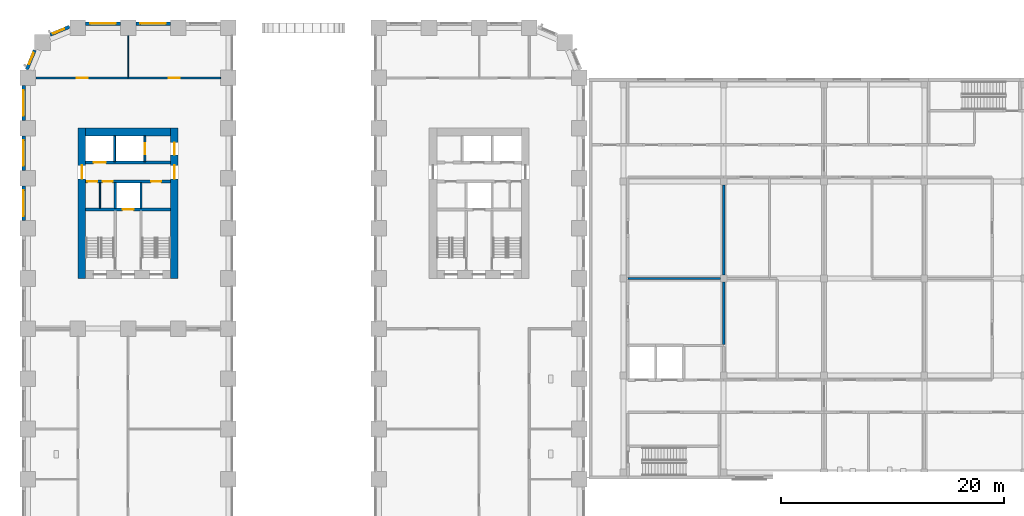
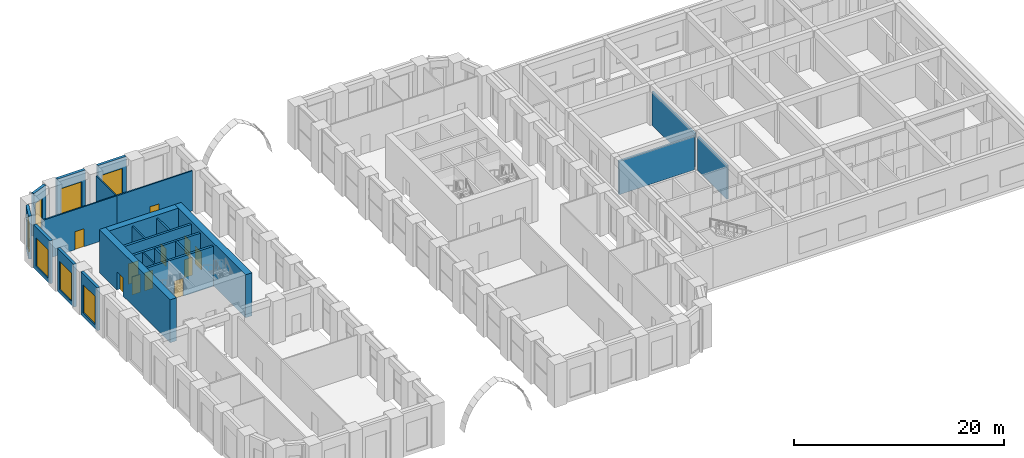
# One storey, part 11 of 24: 24 walls, 11 doors, 7 windows, 18 openings.
"""IFC4 building model written with IfcOpenShell, lengths in metres."""

from ifc_helpers import new_model, si_unit, direction, frame, frame_2d, origin, place, context, subcontext, project, spatial, rectangle, extrude, material, layer, layer_set, type_object, element, fill, save


model = new_model("IFC4")

# Units and contexts
model_context = context("Model", 3, precision=1e-05, world=origin(), true_north=direction((0.0, 1.0)))
body_context = subcontext(model_context, "Body", "Model", "MODEL_VIEW")
ifc_project = project(units=[si_unit("LENGTHUNIT", "METRE"), si_unit("AREAUNIT", "SQUARE_METRE"), si_unit("VOLUMEUNIT", "CUBIC_METRE"), si_unit("PLANEANGLEUNIT", "RADIAN"), si_unit("MASSUNIT", "GRAM", prefix="KILO")], contexts=[model_context])

# Site, building, storey
site_placement = place(None, origin())
site = spatial("IfcSite", under=ifc_project, at=site_placement, CompositionType="ELEMENT")
building_placement = place(site_placement, origin())
building = spatial("IfcBuilding", under=site, at=building_placement, Name="Girih Gate Residences", CompositionType="ELEMENT")
storey_placement = place(building_placement, frame((0.0, 0.0, 11.0)))
storey = spatial("IfcBuildingStorey", under=building, at=storey_placement, Name="L02", CompositionType="ELEMENT", Elevation=11.0)

# Wall, opening, door
ifc_material_1 = material(Name="Gypsum board on steel studs", Category="steel")
ifc_layer_1 = layer(ifc_material_1, 0.14990234375)
ifc_layer_set_1 = layer_set([ifc_layer_1], Name="Compartment wall 150 mm")
wall_type_1 = type_object("IfcWallType", Name="Compartment wall 150 mm", PredefinedType="PARTITIONING", material=ifc_layer_set_1)
wall_1_placement = place(storey_placement, frame((0.757568359375, 45.0, 0.0), z_axis=(0.0, 0.0, 1.0), x_axis=(1.0, 0.0, 0.0)))
wall_1 = element("IfcWall", 1, at=wall_1_placement, inside=storey, type_object=wall_type_1, Name="L02 partition", PredefinedType="PARTITIONING", context=body_context, shape_type="SweptSolid", body=[
    extrude(rectangle(XDim=8.242431640625, YDim=0.14990234375, at=frame_2d((4.12109375, 0.0))), origin(), (0.0, 0.0, 1.0), 4.64990234375),
])
opening_1_placement = place(wall_1_placement, frame((3.62109375, 0.0, 0.0)))
opening_1 = element("IfcOpeningElement", 2, at=opening_1_placement, cuts=wall_1, Name="Opening D-L02-S-011", PredefinedType="OPENING", context=body_context, shape_type="SweptSolid", body=[
    extrude(rectangle(XDim=1.0, YDim=2.10009765625, at=frame_2d((0.5, 1.050048828125))), frame((0.0, 0.0849609375, 0.0), z_axis=(0.0, -1.0, 0.0), x_axis=(1.0, 0.0, 0.0)), (0.0, 0.0, 1.0), 0.169921875),
])
ifc_material_2 = material(Name="Timber, fire-rated core", Category="wood")
door_type_1 = type_object("IfcDoorType", Name="Amenity door 1000x2100 FD30S", OperationType="SINGLE_SWING_LEFT", PredefinedType="DOOR", material=ifc_material_2)
door_1_placement = place(opening_1_placement, origin())
door_1 = element("IfcDoor", 3, at=door_1_placement, inside=storey, type_object=door_type_1, Name="Door L02-011", OperationType="SINGLE_SWING_RIGHT", OverallHeight=2.10009765625, OverallWidth=1.0, PredefinedType="DOOR", context=body_context, shape_type="SweptSolid", body=[
    extrude(rectangle(XDim=1.0, YDim=2.10009765625, at=frame_2d((0.5, 1.050048828125))), frame((0.0, 0.02490234375, 0.0), z_axis=(0.0, -1.0, 0.0), x_axis=(1.0, 0.0, 0.0)), (0.0, 0.0, 1.0), 0.050048828125),
])
fill(opening_1, door_1)

wall_2_placement = place(storey_placement, frame((9.0, 45.0, 0.0), z_axis=(0.0, 0.0, 1.0), x_axis=(1.0, 0.0, 0.0)))
wall_2 = element("IfcWall", 4, at=wall_2_placement, inside=storey, type_object=wall_type_1, Name="L02 partition", PredefinedType="PARTITIONING", context=body_context, shape_type="SweptSolid", body=[
    extrude(rectangle(XDim=8.300048828125, YDim=0.14990234375, at=frame_2d((4.14990234375, 0.0))), origin(), (0.0, 0.0, 1.0), 4.64990234375),
])
opening_2_placement = place(wall_2_placement, frame((3.64990234375, 0.0, 0.0)))
opening_2 = element("IfcOpeningElement", 5, at=opening_2_placement, cuts=wall_2, Name="Opening D-L02-S-012", PredefinedType="OPENING", context=body_context, shape_type="SweptSolid", body=[
    extrude(rectangle(XDim=1.0, YDim=2.10009765625, at=frame_2d((0.5, 1.050048828125))), frame((0.0, 0.0849609375, 0.0), z_axis=(0.0, -1.0, 0.0), x_axis=(1.0, 0.0, 0.0)), (0.0, 0.0, 1.0), 0.169921875),
])
door_2_placement = place(opening_2_placement, origin())
door_2 = element("IfcDoor", 6, at=door_2_placement, inside=storey, type_object=door_type_1, Name="Door L02-012", OperationType="SINGLE_SWING_RIGHT", OverallHeight=2.10009765625, OverallWidth=1.0, PredefinedType="DOOR", context=body_context, shape_type="SweptSolid", body=[
    extrude(rectangle(XDim=1.0, YDim=2.10009765625, at=frame_2d((0.5, 1.050048828125))), frame((0.0, 0.02490234375, 0.0), z_axis=(0.0, -1.0, 0.0), x_axis=(1.0, 0.0, 0.0)), (0.0, 0.0, 1.0), 0.050048828125),
])
fill(opening_2, door_2)

# Wall
ifc_material_3 = material(Name="Concrete C60/75", Category="concrete")
ifc_layer_2 = layer(ifc_material_3, 0.699951171875)
ifc_layer_set_2 = layer_set([ifc_layer_2], Name="Core wall RC 700 Concrete C60/75")
wall_type_2 = type_object("IfcWallType", Name="Core wall RC 700 Concrete C60/75", PredefinedType="SOLIDWALL", material=ifc_layer_set_2)
wall_3_placement = place(storey_placement, frame((5.199951171875, 40.14990234375, 0.0), z_axis=(0.0, 0.0, 1.0), x_axis=(1.0, 0.0, 0.0)))
element("IfcWall", 7, at=wall_3_placement, inside=storey, type_object=wall_type_2, Name="Core wall W-N L02", PredefinedType="SOLIDWALL", context=body_context, shape_type="SweptSolid", body=[
    extrude(rectangle(XDim=7.60009765625, YDim=0.699951171875, at=frame_2d((3.800048828125, 0.0))), origin(), (0.0, 0.0, 1.0), 5.0),
])

# Wall, opening, door
wall_4_placement = place(storey_placement, frame((4.85009765625, 27.0, 0.0), z_axis=(0.0, 0.0, 1.0), x_axis=(0.0, 1.0, 0.0)))
wall_4 = element("IfcWall", 8, at=wall_4_placement, inside=storey, type_object=wall_type_2, Name="Core wall W-W L02", PredefinedType="SOLIDWALL", context=body_context, shape_type="SweptSolid", body=[
    extrude(rectangle(XDim=13.5, YDim=0.699951171875, at=frame_2d((6.75, 0.0))), origin(), (0.0, 0.0, 1.0), 5.0),
])
opening_3_placement = place(wall_4_placement, frame((8.949951171875, 0.0, 0.0)))
opening_3 = element("IfcOpeningElement", 9, at=opening_3_placement, cuts=wall_4, Name="Opening D-L02-W-013", PredefinedType="OPENING", context=body_context, shape_type="SweptSolid", body=[
    extrude(rectangle(XDim=1.199951171875, YDim=2.10009765625, at=frame_2d((0.60009765625, 1.050048828125))), frame((0.0, 0.35986328125, 0.0), z_axis=(0.0, -1.0, 0.0), x_axis=(1.0, 0.0, 0.0)), (0.0, 0.0, 1.0), 0.719970703125),
])
ifc_material_4 = material(Name="Painted steel, fire-resisting", Category="steel")
door_type_2 = type_object("IfcDoorType", Name="Fire door 1200x2100", OperationType="SINGLE_SWING_LEFT", PredefinedType="DOOR", material=ifc_material_4)
door_3_placement = place(opening_3_placement, origin())
door_3 = element("IfcDoor", 10, at=door_3_placement, inside=storey, type_object=door_type_2, Name="L02 W core door ll-w", OperationType="SINGLE_SWING_LEFT", OverallHeight=2.10009765625, OverallWidth=1.199951171875, PredefinedType="DOOR", context=body_context, shape_type="SweptSolid", body=[
    extrude(rectangle(XDim=1.199951171875, YDim=2.10009765625, at=frame_2d((0.60009765625, 1.050048828125))), frame((0.0, 0.02490234375, 0.0), z_axis=(0.0, -1.0, 0.0), x_axis=(1.0, 0.0, 0.0)), (0.0, 0.0, 1.0), 0.050048828125),
])
fill(opening_3, door_3)

# Wall, openings, doors
wall_5_placement = place(storey_placement, frame((13.14990234375, 27.0, 0.0), z_axis=(0.0, 0.0, 1.0), x_axis=(0.0, 1.0, 0.0)))
wall_5 = element("IfcWall", 11, at=wall_5_placement, inside=storey, type_object=wall_type_2, Name="Core wall W-E L02", PredefinedType="SOLIDWALL", context=body_context, shape_type="SweptSolid", body=[
    extrude(rectangle(XDim=13.5, YDim=0.699951171875, at=frame_2d((6.75, 0.0))), origin(), (0.0, 0.0, 1.0), 5.0),
])
opening_4_placement = place(wall_5_placement, frame((11.10009765625, 0.0, 0.0)))
opening_4 = element("IfcOpeningElement", 12, at=opening_4_placement, cuts=wall_5, Name="Opening D-L02-W-012", PredefinedType="OPENING", context=body_context, shape_type="SweptSolid", body=[
    extrude(rectangle(XDim=1.10009765625, YDim=2.10009765625, at=frame_2d((0.550048828125, 1.050048828125))), frame((0.0, 0.35986328125, 0.0), z_axis=(0.0, -1.0, 0.0), x_axis=(1.0, 0.0, 0.0)), (0.0, 0.0, 1.0), 0.719970703125),
])
opening_5_placement = place(wall_5_placement, frame((8.949951171875, 0.0, 0.0)))
opening_5 = element("IfcOpeningElement", 13, at=opening_5_placement, cuts=wall_5, Name="Opening D-L02-W-014", PredefinedType="OPENING", context=body_context, shape_type="SweptSolid", body=[
    extrude(rectangle(XDim=1.199951171875, YDim=2.10009765625, at=frame_2d((0.60009765625, 1.050048828125))), frame((0.0, 0.35986328125, 0.0), z_axis=(0.0, -1.0, 0.0), x_axis=(1.0, 0.0, 0.0)), (0.0, 0.0, 1.0), 0.719970703125),
])
door_type_3 = type_object("IfcDoorType", Name="Fire door 1100x2100", OperationType="SINGLE_SWING_LEFT", PredefinedType="DOOR", material=ifc_material_4)
door_4_placement = place(opening_4_placement, origin())
door_4 = element("IfcDoor", 14, at=door_4_placement, inside=storey, type_object=door_type_3, Name="L02 W core door ffl2-e", OperationType="SINGLE_SWING_LEFT", OverallHeight=2.10009765625, OverallWidth=1.10009765625, PredefinedType="DOOR", context=body_context, shape_type="SweptSolid", body=[
    extrude(rectangle(XDim=1.10009765625, YDim=2.10009765625, at=frame_2d((0.550048828125, 1.050048828125))), frame((0.0, 0.02490234375, 0.0), z_axis=(0.0, -1.0, 0.0), x_axis=(1.0, 0.0, 0.0)), (0.0, 0.0, 1.0), 0.050048828125),
])
fill(opening_4, door_4)
door_5_placement = place(opening_5_placement, origin())
door_5 = element("IfcDoor", 15, at=door_5_placement, inside=storey, type_object=door_type_2, Name="L02 W core door ll-e", OperationType="SINGLE_SWING_LEFT", OverallHeight=2.10009765625, OverallWidth=1.199951171875, PredefinedType="DOOR", context=body_context, shape_type="SweptSolid", body=[
    extrude(rectangle(XDim=1.199951171875, YDim=2.10009765625, at=frame_2d((0.60009765625, 1.050048828125))), frame((0.0, 0.02490234375, 0.0), z_axis=(0.0, -1.0, 0.0), x_axis=(1.0, 0.0, 0.0)), (0.0, 0.0, 1.0), 0.050048828125),
])
fill(opening_5, door_5)

# Walls
ifc_material_5 = material(Name="Gypsum partition")
ifc_layer_3 = layer(ifc_material_5, 0.199951171875)
ifc_layer_set_3 = layer_set([ifc_layer_3], Name="HC Room partition 200 EI 30")
wall_type_3 = type_object("IfcWallType", Name="HC Room partition 200 EI 30", PredefinedType="PARTITIONING", material=ifc_layer_set_3)
wall_6_placement = place(storey_placement, frame((53.85009765625, 27.0, 0.0), z_axis=(0.0, 0.0, 1.0), x_axis=(1.0, 0.0, 0.0)))
element("IfcWall", 16, at=wall_6_placement, inside=storey, type_object=wall_type_3, Name="L02 wall x27.00/53.9", PredefinedType="PARTITIONING", context=body_context, shape_type="SweptSolid", body=[
    extrude(rectangle(XDim=8.2998046875, YDim=0.199951171875, at=frame_2d((4.14990234375, 0.0))), origin(), (0.0, 0.0, 1.0), 3.89990234375),
])
wall_7_placement = place(storey_placement, frame((62.449951171875, 21.10009765625, 0.0), z_axis=(0.0, 0.0, 1.0), x_axis=(0.0, 1.0, 0.0)))
element("IfcWall", 17, at=wall_7_placement, inside=storey, type_object=wall_type_3, Name="L02 wall y62.45/21.1", PredefinedType="PARTITIONING", context=body_context, shape_type="SweptSolid", body=[
    extrude(rectangle(XDim=5.599853515625, YDim=0.199951171875, at=frame_2d((2.7998046875, 0.0))), origin(), (0.0, 0.0, 1.0), 3.89990234375),
])
wall_8_placement = place(storey_placement, frame((62.449951171875, 27.300048828125, 0.0), z_axis=(0.0, 0.0, 1.0), x_axis=(0.0, 1.0, 0.0)))
element("IfcWall", 18, at=wall_8_placement, inside=storey, type_object=wall_type_3, Name="L02 wall y62.45/27.3", PredefinedType="PARTITIONING", context=body_context, shape_type="SweptSolid", body=[
    extrude(rectangle(XDim=8.099853515625, YDim=0.199951171875, at=frame_2d((4.0498046875, 0.0))), origin(), (0.0, 0.0, 1.0), 3.89990234375),
])

# Wall, opening, door
ifc_material_6 = material(Name="Concrete C40/50", Category="concrete")
ifc_layer_4 = layer(ifc_material_6, 0.25)
ifc_layer_set_4 = layer_set([ifc_layer_4], Name="Lift shaft wall 250")
wall_type_4 = type_object("IfcWallType", Name="Lift shaft wall 250", PredefinedType="SOLIDWALL", material=ifc_layer_set_4)
wall_9_placement = place(storey_placement, frame((5.199951171875, 33.199951171875, 0.0), z_axis=(0.0, 0.0, 1.0), x_axis=(1.0, 0.0, 0.0)))
wall_9 = element("IfcWall", 19, at=wall_9_placement, inside=storey, type_object=wall_type_4, Name="L02 W core wall H1", PredefinedType="SOLIDWALL", context=body_context, shape_type="SweptSolid", body=[
    extrude(rectangle(XDim=7.60009765625, YDim=0.25, at=frame_2d((3.800048828125, 0.0))), origin(), (0.0, 0.0, 1.0), 4.64990234375),
])
opening_6_placement = place(wall_9_placement, frame((3.300048828125, 0.0, 0.0)))
opening_6 = element("IfcOpeningElement", 20, at=opening_6_placement, cuts=wall_9, Name="Opening D-L02-W-005", PredefinedType="OPENING", context=body_context, shape_type="SweptSolid", body=[
    extrude(rectangle(XDim=1.0, YDim=2.10009765625, at=frame_2d((0.5, 1.050048828125))), frame((0.0, 0.135009765625, 0.0), z_axis=(0.0, -1.0, 0.0), x_axis=(1.0, 0.0, 0.0)), (0.0, 0.0, 1.0), 0.27001953125),
])
ifc_material_7 = material(Name="Stainless steel, fire-resisting", Category="steel")
door_type_4 = type_object("IfcDoorType", Name="Firefighting lift landing door 1000x2100", OperationType="SLIDING_TO_LEFT", PredefinedType="DOOR", material=ifc_material_7)
door_6_placement = place(opening_6_placement, origin())
door_6 = element("IfcDoor", 21, at=door_6_placement, inside=storey, type_object=door_type_4, Name="L02 lift FF-W landing door", OperationType="SLIDING_TO_LEFT", OverallHeight=2.10009765625, OverallWidth=1.0, PredefinedType="DOOR", context=body_context, shape_type="SweptSolid", body=[
    extrude(rectangle(XDim=1.0, YDim=2.10009765625, at=frame_2d((0.5, 1.050048828125))), frame((0.0, 0.02490234375, 0.0), z_axis=(0.0, -1.0, 0.0), x_axis=(1.0, 0.0, 0.0)), (0.0, 0.0, 1.0), 0.050048828125),
])
fill(opening_6, door_6)

# Wall, openings, doors
wall_10_placement = place(storey_placement, frame((5.199951171875, 35.699951171875, 0.0), z_axis=(0.0, 0.0, 1.0), x_axis=(1.0, 0.0, 0.0)))
wall_10 = element("IfcWall", 22, at=wall_10_placement, inside=storey, type_object=wall_type_4, Name="L02 W core wall H2", PredefinedType="SOLIDWALL", context=body_context, shape_type="SweptSolid", body=[
    extrude(rectangle(XDim=7.60009765625, YDim=0.25, at=frame_2d((3.800048828125, 0.0))), origin(), (0.0, 0.0, 1.0), 4.64990234375),
])
opening_7_placement = place(wall_10_placement, frame((0.137451171875, 0.0, 0.0)))
opening_7 = element("IfcOpeningElement", 23, at=opening_7_placement, cuts=wall_10, Name="Opening D-L02-W-006", PredefinedType="OPENING", context=body_context, shape_type="SweptSolid", body=[
    extrude(rectangle(XDim=0.89990234375, YDim=2.10009765625, at=frame_2d((0.449951171875, 1.050048828125))), frame((0.0, 0.135009765625, 0.0), z_axis=(0.0, -1.0, 0.0), x_axis=(1.0, 0.0, 0.0)), (0.0, 0.0, 1.0), 0.27001953125),
])
opening_8_placement = place(wall_10_placement, frame((1.512451171875, 0.0, 0.0)))
opening_8 = element("IfcOpeningElement", 24, at=opening_8_placement, cuts=wall_10, Name="Opening D-L02-W-007", PredefinedType="OPENING", context=body_context, shape_type="SweptSolid", body=[
    extrude(rectangle(XDim=0.89990234375, YDim=2.10009765625, at=frame_2d((0.449951171875, 1.050048828125))), frame((0.0, 0.135009765625, 0.0), z_axis=(0.0, -1.0, 0.0), x_axis=(1.0, 0.0, 0.0)), (0.0, 0.0, 1.0), 0.27001953125),
])
opening_9_placement = place(wall_10_placement, frame((5.875, 0.0, 0.0)))
opening_9 = element("IfcOpeningElement", 25, at=opening_9_placement, cuts=wall_10, Name="Opening D-L02-W-008", PredefinedType="OPENING", context=body_context, shape_type="SweptSolid", body=[
    extrude(rectangle(XDim=0.89990234375, YDim=2.10009765625, at=frame_2d((0.449951171875, 1.050048828125))), frame((0.0, 0.135009765625, 0.0), z_axis=(0.0, -1.0, 0.0), x_axis=(1.0, 0.0, 0.0)), (0.0, 0.0, 1.0), 0.27001953125),
])
door_type_5 = type_object("IfcDoorType", Name="Fire door 900x2100", OperationType="SINGLE_SWING_LEFT", PredefinedType="DOOR", material=ifc_material_4)
door_7_placement = place(opening_7_placement, origin())
door_7 = element("IfcDoor", 26, at=door_7_placement, inside=storey, type_object=door_type_5, Name="L02 W electrical room door", OperationType="SINGLE_SWING_LEFT", OverallHeight=2.10009765625, OverallWidth=0.89990234375, PredefinedType="DOOR", context=body_context, shape_type="SweptSolid", body=[
    extrude(rectangle(XDim=0.89990234375, YDim=2.10009765625, at=frame_2d((0.449951171875, 1.050048828125))), frame((0.0, 0.02490234375, 0.0), z_axis=(0.0, -1.0, 0.0), x_axis=(1.0, 0.0, 0.0)), (0.0, 0.0, 1.0), 0.050048828125),
])
fill(opening_7, door_7)
door_8_placement = place(opening_8_placement, origin())
door_8 = element("IfcDoor", 27, at=door_8_placement, inside=storey, type_object=door_type_5, Name="L02 W linen store door", OperationType="SINGLE_SWING_LEFT", OverallHeight=2.10009765625, OverallWidth=0.89990234375, PredefinedType="DOOR", context=body_context, shape_type="SweptSolid", body=[
    extrude(rectangle(XDim=0.89990234375, YDim=2.10009765625, at=frame_2d((0.449951171875, 1.050048828125))), frame((0.0, 0.02490234375, 0.0), z_axis=(0.0, -1.0, 0.0), x_axis=(1.0, 0.0, 0.0)), (0.0, 0.0, 1.0), 0.050048828125),
])
fill(opening_8, door_8)
door_9_placement = place(opening_9_placement, origin())
door_9 = element("IfcDoor", 28, at=door_9_placement, inside=storey, type_object=door_type_5, Name="L02 W store door", OperationType="SINGLE_SWING_LEFT", OverallHeight=2.10009765625, OverallWidth=0.89990234375, PredefinedType="DOOR", context=body_context, shape_type="SweptSolid", body=[
    extrude(rectangle(XDim=0.89990234375, YDim=2.10009765625, at=frame_2d((0.449951171875, 1.050048828125))), frame((0.0, 0.02490234375, 0.0), z_axis=(0.0, -1.0, 0.0), x_axis=(1.0, 0.0, 0.0)), (0.0, 0.0, 1.0), 0.050048828125),
])
fill(opening_9, door_9)

# Wall, opening, door
wall_11_placement = place(storey_placement, frame((5.199951171875, 37.39990234375, 0.0), z_axis=(0.0, 0.0, 1.0), x_axis=(1.0, 0.0, 0.0)))
wall_11 = element("IfcWall", 29, at=wall_11_placement, inside=storey, type_object=wall_type_4, Name="L02 W core wall H3", PredefinedType="SOLIDWALL", context=body_context, shape_type="SweptSolid", body=[
    extrude(rectangle(XDim=7.60009765625, YDim=0.25, at=frame_2d((3.800048828125, 0.0))), origin(), (0.0, 0.0, 1.0), 4.64990234375),
])
opening_10_placement = place(wall_11_placement, frame((0.699951171875, 0.0, 0.0)))
opening_10 = element("IfcOpeningElement", 30, at=opening_10_placement, cuts=wall_11, Name="Opening D-L02-W-003", PredefinedType="OPENING", context=body_context, shape_type="SweptSolid", body=[
    extrude(rectangle(XDim=1.10009765625, YDim=2.39990234375, at=frame_2d((0.550048828125, 1.199951171875))), frame((0.0, 0.135009765625, 0.0), z_axis=(0.0, -1.0, 0.0), x_axis=(1.0, 0.0, 0.0)), (0.0, 0.0, 1.0), 0.27001953125),
])
ifc_material_8 = material(Name="Stainless steel", Category="steel")
door_type_6 = type_object("IfcDoorType", Name="Lift landing door 1100x2400", OperationType="SLIDING_TO_LEFT", PredefinedType="DOOR", material=ifc_material_8)
door_10_placement = place(opening_10_placement, origin())
door_10 = element("IfcDoor", 31, at=door_10_placement, inside=storey, type_object=door_type_6, Name="L02 lift LR-W1 landing door", OperationType="SLIDING_TO_LEFT", OverallHeight=2.39990234375, OverallWidth=1.10009765625, PredefinedType="DOOR", context=body_context, shape_type="SweptSolid", body=[
    extrude(rectangle(XDim=1.10009765625, YDim=2.39990234375, at=frame_2d((0.550048828125, 1.199951171875))), frame((0.0, 0.02490234375, 0.0), z_axis=(0.0, -1.0, 0.0), x_axis=(1.0, 0.0, 0.0)), (0.0, 0.0, 1.0), 0.050048828125),
])
fill(opening_10, door_10)

# Wall
ifc_layer_5 = layer(ifc_material_1, 0.10009765625)
ifc_layer_set_5 = layer_set([ifc_layer_5], Name="Partition 100 mm")
wall_type_5 = type_object("IfcWallType", Name="Partition 100 mm", PredefinedType="PARTITIONING", material=ifc_layer_set_5)
wall_12_placement = place(storey_placement, frame((9.0, 45.074951171875, 0.0), z_axis=(0.0, 0.0, 1.0), x_axis=(0.0, 1.0, 0.0)))
element("IfcWall", 32, at=wall_12_placement, inside=storey, type_object=wall_type_5, Name="L02 partition", PredefinedType="PARTITIONING", context=body_context, shape_type="SweptSolid", body=[
    extrude(rectangle(XDim=3.72509765625, YDim=0.10009765625, at=frame_2d((1.862548828125, 0.0))), origin(), (0.0, 0.0, 1.0), 4.64990234375),
])

# Wall, opening, window
ifc_material_9 = material(Name="Precast concrete C50/60", Category="concrete")
ifc_layer_6 = layer(ifc_material_9, 0.080078125, Name="Outer leaf")
ifc_material_10 = material(Name="Rigid PIR insulation")
ifc_layer_7 = layer(ifc_material_10, 0.14990234375, Name="Insulation")
ifc_material_11 = material(Name="Precast concrete C40/50", Category="concrete")
ifc_layer_8 = layer(ifc_material_11, 0.070068359375, Name="Inner leaf")
ifc_layer_set_6 = layer_set([ifc_layer_6, ifc_layer_7, ifc_layer_8], Name="Precast concrete C50/60 external wall 300")
wall_type_6 = type_object("IfcWallType", Name="Precast concrete C50/60 external wall 300", PredefinedType="SOLIDWALL", material=ifc_layer_set_6)
wall_13_placement = place(storey_placement, frame((9.699951171875, 49.875, 0.0), z_axis=(0.0, 0.0, 1.0), x_axis=(1.0, 0.0, 0.0)))
wall_13 = element("IfcWall", 33, at=wall_13_placement, inside=storey, type_object=wall_type_6, Name="External wall N0180_0495.1", PredefinedType="SOLIDWALL", context=body_context, shape_type="SweptSolid", body=[
    extrude(rectangle(XDim=3.10009765625, YDim=0.300048828125, at=frame_2d((1.550048828125, 0.0))), origin(), (0.0, 0.0, 1.0), 5.0),
])
opening_11_placement = place(wall_13_placement, frame((0.39990234375, 0.0, 0.449951171875)))
opening_11 = element("IfcOpeningElement", 34, at=opening_11_placement, cuts=wall_13, Name="Opening W-3", PredefinedType="OPENING", context=body_context, shape_type="SweptSolid", body=[
    extrude(rectangle(XDim=2.300048828125, YDim=3.300048828125, at=frame_2d((1.14990234375, 1.64990234375))), frame((0.0, 0.159912109375, 0.0), z_axis=(0.0, -1.0, 0.0), x_axis=(1.0, 0.0, 0.0)), (0.0, 0.0, 1.0), 0.320068359375),
])
ifc_material_12 = material(Name="Double glazing in aluminium frame", Category="aluminium")
window_type_1 = type_object("IfcWindowType", Name="Window W-3 2300x3300", PartitioningType="SINGLE_PANEL", PredefinedType="WINDOW", material=ifc_material_12)
window_1_placement = place(opening_11_placement, origin())
window_1 = element("IfcWindow", 35, at=window_1_placement, inside=storey, type_object=window_type_1, Name="Window W-3 N0180_0495.1", OverallHeight=3.300048828125, OverallWidth=2.300048828125, PartitioningType="SINGLE_PANEL", PredefinedType="WINDOW", context=body_context, shape_type="SweptSolid", body=[
    extrude(rectangle(XDim=2.300048828125, YDim=3.300048828125, at=frame_2d((1.14990234375, 1.64990234375))), frame((0.0, 0.030029296875, 0.0), z_axis=(0.0, -1.0, 0.0), x_axis=(1.0, 0.0, 0.0)), (0.0, 0.0, 1.0), 0.06005859375),
])
fill(opening_11, window_1)

wall_14_placement = place(storey_placement, frame((5.199951171875, 49.875, 0.0), z_axis=(0.0, 0.0, 1.0), x_axis=(1.0, 0.0, 0.0)))
wall_14 = element("IfcWall", 36, at=wall_14_placement, inside=storey, type_object=wall_type_6, Name="External wall N0180_0495.2", PredefinedType="SOLIDWALL", context=body_context, shape_type="SweptSolid", body=[
    extrude(rectangle(XDim=3.10009765625, YDim=0.300048828125, at=frame_2d((1.550048828125, 0.0))), origin(), (0.0, 0.0, 1.0), 5.0),
])
opening_12_placement = place(wall_14_placement, frame((0.39990234375, 0.0, 0.449951171875)))
opening_12 = element("IfcOpeningElement", 37, at=opening_12_placement, cuts=wall_14, Name="Opening W-3", PredefinedType="OPENING", context=body_context, shape_type="SweptSolid", body=[
    extrude(rectangle(XDim=2.300048828125, YDim=3.300048828125, at=frame_2d((1.14990234375, 1.64990234375))), frame((0.0, 0.159912109375, 0.0), z_axis=(0.0, -1.0, 0.0), x_axis=(1.0, 0.0, 0.0)), (0.0, 0.0, 1.0), 0.320068359375),
])
window_2_placement = place(opening_12_placement, origin())
window_2 = element("IfcWindow", 38, at=window_2_placement, inside=storey, type_object=window_type_1, Name="Window W-3 N0180_0495.2", OverallHeight=3.300048828125, OverallWidth=2.300048828125, PartitioningType="SINGLE_PANEL", PredefinedType="WINDOW", context=body_context, shape_type="SweptSolid", body=[
    extrude(rectangle(XDim=2.300048828125, YDim=3.300048828125, at=frame_2d((1.14990234375, 1.64990234375))), frame((0.0, 0.030029296875, 0.0), z_axis=(0.0, -1.0, 0.0), x_axis=(1.0, 0.0, 0.0)), (0.0, 0.0, 1.0), 0.06005859375),
])
fill(opening_12, window_2)

wall_15_placement = place(storey_placement, frame((2.01953125, 48.87841796875, 0.0), z_axis=(0.0, 0.0, 1.0), x_axis=(0.923903565336, 0.38262540684, 0.0)))
wall_15 = element("IfcWall", 39, at=wall_15_placement, inside=storey, type_object=wall_type_6, Name="External wall NW0045_0495.0", PredefinedType="SOLIDWALL", context=body_context, shape_type="SweptSolid", body=[
    extrude(rectangle(XDim=1.864990234375, YDim=0.300048828125, at=frame_2d((0.9326171875, 0.0))), origin(), (0.0, 0.0, 1.0), 5.0),
])
opening_13_placement = place(wall_15_placement, frame((0.257568359375, 0.0, 0.449951171875)))
opening_13 = element("IfcOpeningElement", 40, at=opening_13_placement, cuts=wall_15, Name="Opening W-2A", PredefinedType="OPENING", context=body_context, shape_type="SweptSolid", body=[
    extrude(rectangle(XDim=1.10009765625, YDim=3.300048828125, at=frame_2d((0.550048828125, 1.64990234375))), frame((0.0, 0.159912109375, 0.0), z_axis=(0.0, -1.0, 0.0), x_axis=(1.0, 0.0, 0.0)), (0.0, 0.0, 1.0), 0.320068359375),
])
window_type_2 = type_object("IfcWindowType", Name="Window W-2A 1100x3300", PartitioningType="SINGLE_PANEL", PredefinedType="WINDOW", material=ifc_material_12)
window_3_placement = place(opening_13_placement, origin())
window_3 = element("IfcWindow", 41, at=window_3_placement, inside=storey, type_object=window_type_2, Name="Window W-2A NW0045_0495.0", OverallHeight=3.300048828125, OverallWidth=1.10009765625, PartitioningType="SINGLE_PANEL", PredefinedType="WINDOW", context=body_context, shape_type="SweptSolid", body=[
    extrude(rectangle(XDim=1.10009765625, YDim=3.300048828125, at=frame_2d((0.550048828125, 1.64990234375))), frame((0.0, 0.030029296875, 0.0), z_axis=(0.0, -1.0, 0.0), x_axis=(1.0, 0.0, 0.0)), (0.0, 0.0, 1.0), 0.06005859375),
])
fill(opening_13, window_3)

wall_16_placement = place(storey_placement, frame((-0.09228515625, 45.75732421875, 0.0), z_axis=(0.0, 0.0, 1.0), x_axis=(0.382737135771, 0.923857286003, 0.0)))
wall_16 = element("IfcWall", 42, at=wall_16_placement, inside=storey, type_object=wall_type_6, Name="External wall NW0013_0482.0", PredefinedType="SOLIDWALL", context=body_context, shape_type="SweptSolid", body=[
    extrude(rectangle(XDim=1.865234375, YDim=0.300048828125, at=frame_2d((0.9326171875, 0.0))), origin(), (0.0, 0.0, 1.0), 5.0),
])
opening_14_placement = place(wall_16_placement, frame((0.507568359375, 0.0, 0.449951171875)))
opening_14 = element("IfcOpeningElement", 43, at=opening_14_placement, cuts=wall_16, Name="Opening W-2A", PredefinedType="OPENING", context=body_context, shape_type="SweptSolid", body=[
    extrude(rectangle(XDim=1.10009765625, YDim=3.300048828125, at=frame_2d((0.550048828125, 1.64990234375))), frame((0.0, 0.159912109375, 0.0), z_axis=(0.0, -1.0, 0.0), x_axis=(1.0, 0.0, 0.0)), (0.0, 0.0, 1.0), 0.320068359375),
])
window_4_placement = place(opening_14_placement, origin())
window_4 = element("IfcWindow", 44, at=window_4_placement, inside=storey, type_object=window_type_2, Name="Window W-2A NW0013_0482.0", OverallHeight=3.300048828125, OverallWidth=1.10009765625, PartitioningType="SINGLE_PANEL", PredefinedType="WINDOW", context=body_context, shape_type="SweptSolid", body=[
    extrude(rectangle(XDim=1.10009765625, YDim=3.300048828125, at=frame_2d((0.550048828125, 1.64990234375))), frame((0.0, 0.030029296875, 0.0), z_axis=(0.0, -1.0, 0.0), x_axis=(1.0, 0.0, 0.0)), (0.0, 0.0, 1.0), 0.06005859375),
])
fill(opening_14, window_4)

wall_17_placement = place(storey_placement, frame((-0.375, 41.199951171875, 0.0), z_axis=(0.0, 0.0, 1.0), x_axis=(0.0, 1.0, 0.0)))
wall_17 = element("IfcWall", 45, at=wall_17_placement, inside=storey, type_object=wall_type_6, Name="External wall W0000_0450.0", PredefinedType="SOLIDWALL", context=body_context, shape_type="SweptSolid", body=[
    extrude(rectangle(XDim=3.10009765625, YDim=0.300048828125, at=frame_2d((1.550048828125, 0.0))), origin(), (0.0, 0.0, 1.0), 5.0),
])
opening_15_placement = place(wall_17_placement, frame((0.39990234375, 0.0, 0.449951171875)))
opening_15 = element("IfcOpeningElement", 46, at=opening_15_placement, cuts=wall_17, Name="Opening W-3", PredefinedType="OPENING", context=body_context, shape_type="SweptSolid", body=[
    extrude(rectangle(XDim=2.300048828125, YDim=3.300048828125, at=frame_2d((1.14990234375, 1.64990234375))), frame((0.0, 0.159912109375, 0.0), z_axis=(0.0, -1.0, 0.0), x_axis=(1.0, 0.0, 0.0)), (0.0, 0.0, 1.0), 0.320068359375),
])
window_5_placement = place(opening_15_placement, origin())
window_5 = element("IfcWindow", 47, at=window_5_placement, inside=storey, type_object=window_type_1, Name="Window W-3 W0000_0450.0", OverallHeight=3.300048828125, OverallWidth=2.300048828125, PartitioningType="SINGLE_PANEL", PredefinedType="WINDOW", context=body_context, shape_type="SweptSolid", body=[
    extrude(rectangle(XDim=2.300048828125, YDim=3.300048828125, at=frame_2d((1.14990234375, 1.64990234375))), frame((0.0, 0.030029296875, 0.0), z_axis=(0.0, -1.0, 0.0), x_axis=(1.0, 0.0, 0.0)), (0.0, 0.0, 1.0), 0.06005859375),
])
fill(opening_15, window_5)

wall_18_placement = place(storey_placement, frame((-0.375, 36.699951171875, 0.0), z_axis=(0.0, 0.0, 1.0), x_axis=(0.0, 1.0, 0.0)))
wall_18 = element("IfcWall", 48, at=wall_18_placement, inside=storey, type_object=wall_type_6, Name="External wall W0000_0450.1", PredefinedType="SOLIDWALL", context=body_context, shape_type="SweptSolid", body=[
    extrude(rectangle(XDim=3.10009765625, YDim=0.300048828125, at=frame_2d((1.550048828125, 0.0))), origin(), (0.0, 0.0, 1.0), 5.0),
])
opening_16_placement = place(wall_18_placement, frame((0.39990234375, 0.0, 0.449951171875)))
opening_16 = element("IfcOpeningElement", 49, at=opening_16_placement, cuts=wall_18, Name="Opening W-3", PredefinedType="OPENING", context=body_context, shape_type="SweptSolid", body=[
    extrude(rectangle(XDim=2.300048828125, YDim=3.300048828125, at=frame_2d((1.14990234375, 1.64990234375))), frame((0.0, 0.159912109375, 0.0), z_axis=(0.0, -1.0, 0.0), x_axis=(1.0, 0.0, 0.0)), (0.0, 0.0, 1.0), 0.320068359375),
])
window_6_placement = place(opening_16_placement, origin())
window_6 = element("IfcWindow", 50, at=window_6_placement, inside=storey, type_object=window_type_1, Name="Window W-3 W0000_0450.1", OverallHeight=3.300048828125, OverallWidth=2.300048828125, PartitioningType="SINGLE_PANEL", PredefinedType="WINDOW", context=body_context, shape_type="SweptSolid", body=[
    extrude(rectangle(XDim=2.300048828125, YDim=3.300048828125, at=frame_2d((1.14990234375, 1.64990234375))), frame((0.0, 0.030029296875, 0.0), z_axis=(0.0, -1.0, 0.0), x_axis=(1.0, 0.0, 0.0)), (0.0, 0.0, 1.0), 0.06005859375),
])
fill(opening_16, window_6)

wall_19_placement = place(storey_placement, frame((-0.375, 32.199951171875, 0.0), z_axis=(0.0, 0.0, 1.0), x_axis=(0.0, 1.0, 0.0)))
wall_19 = element("IfcWall", 51, at=wall_19_placement, inside=storey, type_object=wall_type_6, Name="External wall W0000_0450.2", PredefinedType="SOLIDWALL", context=body_context, shape_type="SweptSolid", body=[
    extrude(rectangle(XDim=3.10009765625, YDim=0.300048828125, at=frame_2d((1.550048828125, 0.0))), origin(), (0.0, 0.0, 1.0), 5.0),
])
opening_17_placement = place(wall_19_placement, frame((0.39990234375, 0.0, 0.449951171875)))
opening_17 = element("IfcOpeningElement", 52, at=opening_17_placement, cuts=wall_19, Name="Opening W-3", PredefinedType="OPENING", context=body_context, shape_type="SweptSolid", body=[
    extrude(rectangle(XDim=2.300048828125, YDim=3.300048828125, at=frame_2d((1.14990234375, 1.64990234375))), frame((0.0, 0.159912109375, 0.0), z_axis=(0.0, -1.0, 0.0), x_axis=(1.0, 0.0, 0.0)), (0.0, 0.0, 1.0), 0.320068359375),
])
window_7_placement = place(opening_17_placement, origin())
window_7 = element("IfcWindow", 53, at=window_7_placement, inside=storey, type_object=window_type_1, Name="Window W-3 W0000_0450.2", OverallHeight=3.300048828125, OverallWidth=2.300048828125, PartitioningType="SINGLE_PANEL", PredefinedType="WINDOW", context=body_context, shape_type="SweptSolid", body=[
    extrude(rectangle(XDim=2.300048828125, YDim=3.300048828125, at=frame_2d((1.14990234375, 1.64990234375))), frame((0.0, 0.030029296875, 0.0), z_axis=(0.0, -1.0, 0.0), x_axis=(1.0, 0.0, 0.0)), (0.0, 0.0, 1.0), 0.06005859375),
])
fill(opening_17, window_7)

# Wall
ifc_layer_9 = layer(ifc_material_6, 0.175048828125)
ifc_layer_set_7 = layer_set([ifc_layer_9], Name="Riser shaft wall 175")
wall_type_7 = type_object("IfcWallType", Name="Riser shaft wall 175", PredefinedType="SOLIDWALL", material=ifc_layer_set_7)
wall_20_placement = place(storey_placement, frame((7.800048828125, 37.5, 0.0), z_axis=(0.0, 0.0, 1.0), x_axis=(0.0, 1.0, 0.0)))
element("IfcWall", 54, at=wall_20_placement, inside=storey, type_object=wall_type_7, Name="L02 W core wall V1c", PredefinedType="SOLIDWALL", context=body_context, shape_type="SweptSolid", body=[
    extrude(rectangle(XDim=2.300048828125, YDim=0.175048828125, at=frame_2d((1.14990234375, 0.0))), origin(), (0.0, 0.0, 1.0), 4.64990234375),
])

# Wall, opening, door
wall_21_placement = place(storey_placement, frame((10.5, 37.5, 0.0), z_axis=(0.0, 0.0, 1.0), x_axis=(0.0, 1.0, 0.0)))
wall_21 = element("IfcWall", 55, at=wall_21_placement, inside=storey, type_object=wall_type_7, Name="L02 W core wall V2c", PredefinedType="SOLIDWALL", context=body_context, shape_type="SweptSolid", body=[
    extrude(rectangle(XDim=2.300048828125, YDim=0.175048828125, at=frame_2d((1.14990234375, 0.0))), origin(), (0.0, 0.0, 1.0), 4.64990234375),
])
opening_18_placement = place(wall_21_placement, frame((0.64990234375, 0.0, 0.0)))
opening_18 = element("IfcOpeningElement", 56, at=opening_18_placement, cuts=wall_21, Name="Opening D-L02-W-004", PredefinedType="OPENING", context=body_context, shape_type="SweptSolid", body=[
    extrude(rectangle(XDim=1.0, YDim=2.10009765625, at=frame_2d((0.5, 1.050048828125))), frame((0.0, 0.097412109375, 0.0), z_axis=(0.0, -1.0, 0.0), x_axis=(1.0, 0.0, 0.0)), (0.0, 0.0, 1.0), 0.195068359375),
])
door_11_placement = place(opening_18_placement, origin())
door_11 = element("IfcDoor", 57, at=door_11_placement, inside=storey, type_object=door_type_4, Name="L02 lift FF-W2 landing door", OperationType="SLIDING_TO_LEFT", OverallHeight=2.10009765625, OverallWidth=1.0, PredefinedType="DOOR", context=body_context, shape_type="SweptSolid", body=[
    extrude(rectangle(XDim=1.0, YDim=2.10009765625, at=frame_2d((0.5, 1.050048828125))), frame((0.0, 0.02490234375, 0.0), z_axis=(0.0, -1.0, 0.0), x_axis=(1.0, 0.0, 0.0)), (0.0, 0.0, 1.0), 0.050048828125),
])
fill(opening_18, door_11)

# Walls
ifc_layer_10 = layer(ifc_material_6, 0.199951171875)
ifc_layer_set_8 = layer_set([ifc_layer_10], Name="Shaft wall 200")
wall_type_8 = type_object("IfcWallType", Name="Shaft wall 200", PredefinedType="SOLIDWALL", material=ifc_layer_set_8)
for number, where, z_axis, x_axis, name in (
    (58, (7.85009765625, 33.300048828125, 0.0), (0.0, 0.0, 1.0), (0.0, 1.0, 0.0), "L02 W core wall V1b"),
    (59, (10.14990234375, 33.300048828125, 0.0), (0.0, 0.0, 1.0), (0.0, 1.0, 0.0), "L02 W core wall V2b"),
):
    element("IfcWall", number, at=place(storey_placement, frame(where, z_axis=z_axis, x_axis=x_axis)), inside=storey, type_object=wall_type_8, Name=name, PredefinedType="SOLIDWALL", context=body_context, shape_type="SweptSolid", body=[
        extrude(rectangle(XDim=2.300048828125, YDim=0.199951171875, at=frame_2d((1.14990234375, 0.0))), origin(), (0.0, 0.0, 1.0), 4.64990234375),
    ])
ifc_material_13 = material(Name="Calcium silicate blockwork", Category="masonry")
ifc_layer_11 = layer(ifc_material_13, 0.125)
ifc_layer_set_9 = layer_set([ifc_layer_11], Name="Store partition 125")
wall_type_9 = type_object("IfcWallType", Name="Store partition 125", PredefinedType="PARTITIONING", material=ifc_layer_set_9)
wall_22_placement = place(storey_placement, frame((6.47509765625, 33.300048828125, 0.0), z_axis=(0.0, 0.0, 1.0), x_axis=(0.0, 1.0, 0.0)))
element("IfcWall", 60, at=wall_22_placement, inside=storey, type_object=wall_type_9, Name="L02 W core wall SHR1", PredefinedType="PARTITIONING", context=body_context, shape_type="SweptSolid", body=[
    extrude(rectangle(XDim=2.300048828125, YDim=0.125, at=frame_2d((1.14990234375, 0.0))), origin(), (0.0, 0.0, 1.0), 4.64990234375),
])

save(model, "model.ifc")
